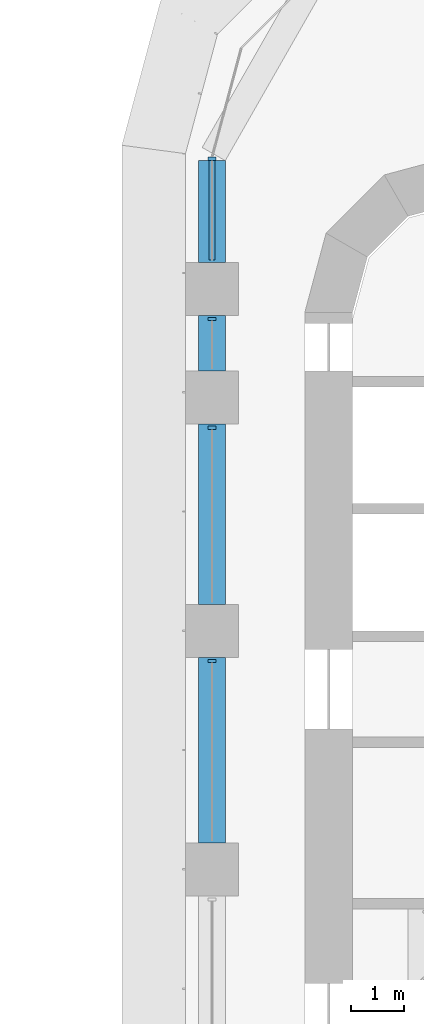
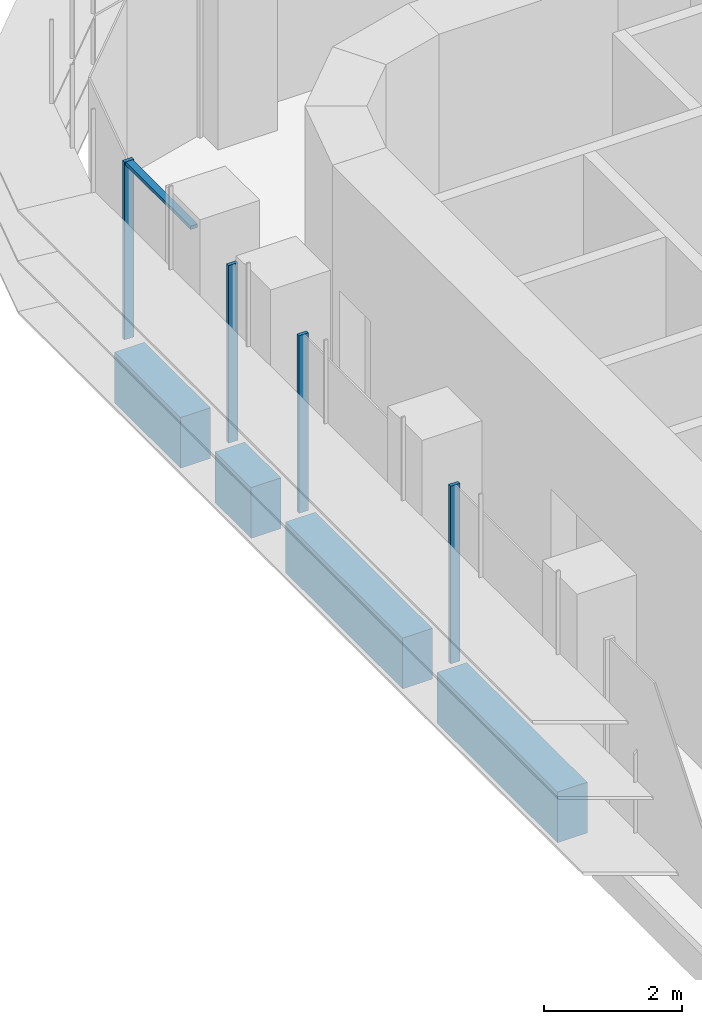
# One storey, part 7 of 23: 5 members, 4 beams, 1 element without a shape of its own.
"""IFC4 building model written with IfcOpenShell, lengths in metres."""

from ifc_helpers import new_model, si_unit, direction, frame, origin, origin_2d, place, context, subcontext, project, spatial, polyline, rectangle, outline, extrude, source, transform, mapped, material, material_profile, profile_set, type_object, element, aggregate, save


model = new_model("IFC4")

# Units and contexts
model_context = context("Model", 3, precision=1e-05, world=origin(), true_north=direction((0.0, 1.0)))
body_context = subcontext(model_context, "Body", "Model", "MODEL_VIEW")
ifc_project = project(units=[si_unit("LENGTHUNIT", "METRE"), si_unit("AREAUNIT", "SQUARE_METRE"), si_unit("VOLUMEUNIT", "CUBIC_METRE"), si_unit("PLANEANGLEUNIT", "RADIAN"), si_unit("MASSUNIT", "GRAM", prefix="KILO")], contexts=[model_context])

# Site, building, storey
site_placement = place(None, origin())
site = spatial("IfcSite", under=ifc_project, at=site_placement, CompositionType="ELEMENT")
building_placement = place(site_placement, origin())
building = spatial("IfcBuilding", under=site, at=building_placement, Name="Zarbagh Exchange Tower", CompositionType="ELEMENT")
storey_placement = place(building_placement, frame((0.0, 0.0, 69.0)))
storey = spatial("IfcBuildingStorey", under=building, at=storey_placement, Name="L15", CompositionType="ELEMENT", Elevation=69.0)

# Beams
ifc_material_1 = material(Name="Concrete C60/75", Category="concrete")
ifc_material_profile = material_profile(ifc_material_1, rectangle(XDim=0.5, YDim=0.89990234375, at=origin_2d()), Name="RC spandrel beam 500 x 900 C60/75")
ifc_profile_set = profile_set([ifc_material_profile], Name="Concrete C60/75")
beam_type = type_object("IfcBeamType", Name="RC spandrel beam 500 x 900 C60/75", PredefinedType="SPANDREL", material=ifc_profile_set)
beam_1_placement = place(storey_placement, frame((-6.25, 16.25, -0.60009765625), z_axis=(0.0, 1.0, 0.0), x_axis=(-1.0, 0.0, 0.0)))
element("IfcBeam", 1, at=beam_1_placement, inside=storey, type_object=beam_type, Name="RC spandrel beam", PredefinedType="SPANDREL", context=body_context, shape_type="SweptSolid", body=[
    extrude(rectangle(XDim=0.5, YDim=0.89990234375, at=origin_2d()), origin(), (0.0, 0.0, 1.0), 3.5),
])
beam_2_placement = place(storey_placement, frame((-6.25, 20.75, -0.60009765625), z_axis=(0.0, 1.0, 0.0), x_axis=(-1.0, 0.0, 0.0)))
element("IfcBeam", 2, at=beam_2_placement, inside=storey, type_object=beam_type, Name="RC spandrel beam", PredefinedType="SPANDREL", context=body_context, shape_type="SweptSolid", body=[
    extrude(rectangle(XDim=0.5, YDim=0.89990234375, at=origin_2d()), origin(), (0.0, 0.0, 1.0), 3.39990234375),
])
beam_3_placement = place(storey_placement, frame((-6.25, 25.14990234375, -0.60009765625), z_axis=(0.0, 1.0, 0.0), x_axis=(-1.0, 0.0, 0.0)))
element("IfcBeam", 3, at=beam_3_placement, inside=storey, type_object=beam_type, Name="RC spandrel beam", PredefinedType="SPANDREL", context=body_context, shape_type="SweptSolid", body=[
    extrude(rectangle(XDim=0.5, YDim=0.89990234375, at=origin_2d()), origin(), (0.0, 0.0, 1.0), 1.050048828125),
])
beam_4_placement = place(storey_placement, frame((-6.25, 27.199951171875, -0.60009765625), z_axis=(0.0, 1.0, 0.0), x_axis=(-1.0, 0.0, 0.0)))
element("IfcBeam", 4, at=beam_4_placement, inside=storey, type_object=beam_type, Name="RC spandrel beam", PredefinedType="SPANDREL", context=body_context, shape_type="SweptSolid", body=[
    extrude(rectangle(XDim=0.5, YDim=0.89990234375, at=origin_2d()), origin(), (0.0, 0.0, 1.0), 1.91796875),
])

# Curtain wall, members
ifc_material_2 = material(Name="Anodised aluminium frame and glazing", Category="aluminium")
curtain_wall_type = type_object("IfcCurtainWallType", Name="CWA Ribbon glazing, lower zones", PredefinedType="NOTDEFINED", material=ifc_material_2)
curtain_wall_placement = place(storey_placement, origin())
curtain_wall = element("IfcCurtainWall", 5, at=curtain_wall_placement, inside=storey, type_object=curtain_wall_type, Name="CWA28 curtain wall", PredefinedType="NOTDEFINED")
ifc_material_3 = material(Name="Anodised aluminium frame", Category="aluminium")
member_type_1 = type_object("IfcMemberType", Name="MUA Mullion, anodised aluminium frame", PredefinedType="MULLION", material=ifc_material_3)
shared_shape_1 = source(origin(), body_context, "Body", "SweptSolid", [
    extrude(outline(polyline([(0.0, -0.080078125), (0.06005859375, -0.080078125), (0.06005859375, 0.080078125), (0.0, 0.080078125), (0.0, -0.080078125)])), origin(), (0.0, 0.0, 1.0), 3.14990234375),
])
placement = place(storey_placement, origin())
member_1 = element("IfcMember", 6, at=placement, type_object=member_type_1, Name="CWA28 mullion 1.1", PredefinedType="MULLION", context=body_context, shape_type="MappedRepresentation", body=[
    mapped(shared_shape_1, transform((-6.25, 29.18408203125, 0.0), x_axis=(0.0, -1.0, 0.0), y_axis=(1.0, 0.0, 0.0), z_axis=(0.0, 0.0, 1.0))),
])
member_2 = element("IfcMember", 7, at=placement, type_object=member_type_1, Name="CWA28 mullion 2.1", PredefinedType="MULLION", context=body_context, shape_type="MappedRepresentation", body=[
    mapped(shared_shape_1, transform((-6.25, 26.159912109375, 0.0), x_axis=(0.0, -1.0, 0.0), y_axis=(1.0, 0.0, 0.0), z_axis=(0.0, 0.0, 1.0))),
])
member_3 = element("IfcMember", 8, at=placement, type_object=member_type_1, Name="CWA28 mullion 3.1", PredefinedType="MULLION", context=body_context, shape_type="MappedRepresentation", body=[
    mapped(shared_shape_1, transform((-6.25, 24.10986328125, 0.0), x_axis=(0.0, -1.0, 0.0), y_axis=(1.0, 0.0, 0.0), z_axis=(0.0, 0.0, 1.0))),
])
member_4 = element("IfcMember", 9, at=placement, type_object=member_type_1, Name="CWA28 mullion 4.1", PredefinedType="MULLION", context=body_context, shape_type="MappedRepresentation", body=[
    mapped(shared_shape_1, transform((-6.25, 19.7099609375, 0.0), x_axis=(0.0, -1.0, 0.0), y_axis=(1.0, 0.0, 0.0), z_axis=(0.0, 0.0, 1.0))),
])
member_type_2 = type_object("IfcMemberType", Name="TRA Transom, anodised aluminium frame", PredefinedType="USERDEFINED", material=ifc_material_3)
shared_shape_2 = source(origin(), body_context, "Body", "SweptSolid", [
    extrude(outline(polyline([(-0.06005859375, -0.06005859375), (0.0, -0.06005859375), (0.0, 0.06005859375), (-0.06005859375, 0.06005859375), (-0.06005859375, -0.06005859375)])), origin(), (0.0, 0.0, 1.0), 1.88427734375),
])
member_5 = element("IfcMember", 10, at=placement, type_object=member_type_2, Name="CWA28 transom 1.1", ObjectType="TRANSOM", PredefinedType="USERDEFINED", context=body_context, shape_type="MappedRepresentation", body=[
    mapped(shared_shape_2, transform((-6.25, 29.124267578125, 3.14990234375), x_axis=(0.0, 0.0, 1.0), y_axis=(-1.0, 0.0, 0.0), z_axis=(0.0, -1.0, 0.0))),
])
aggregate(curtain_wall, [member_1, member_5, member_2, member_3, member_4])

save(model, "model.ifc")
